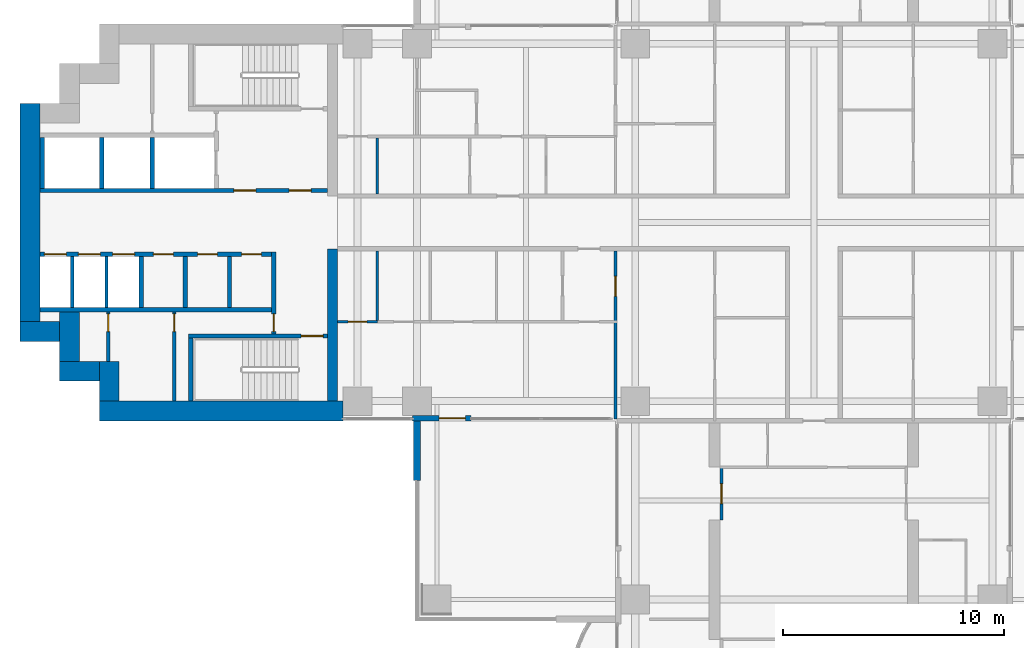
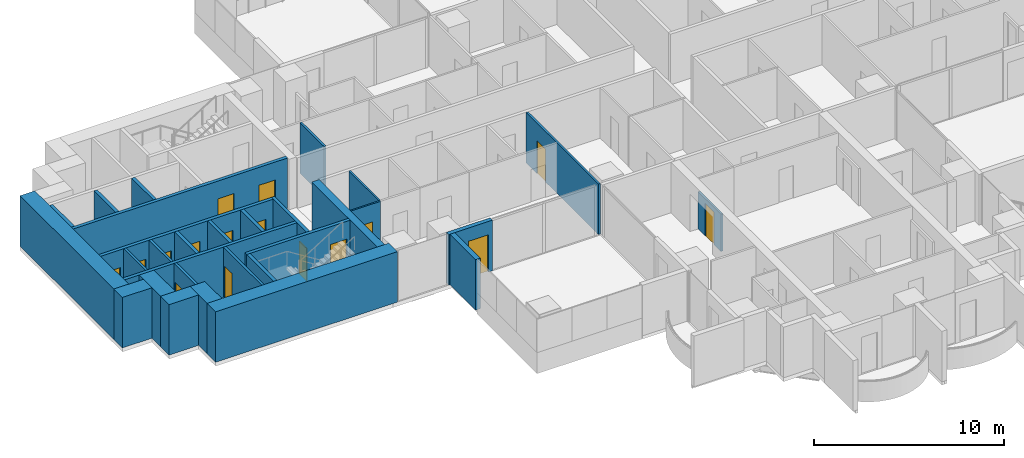
# One storey, part 10 of 21: 30 walls, 16 doors, 16 openings.
"""IFC4 building model written with IfcOpenShell, lengths in metres."""

import ifcopenshell
import ifcopenshell.guid

model = None  # the IFC model being written
_history = None  # IfcOwnerHistory: only IFC2X3 demands one
_inside = {}  # id of a spatial element -> (the spatial element, [elements in it])
_under = {}  # id of a project, library or spatial element -> (it, [spatial elements below it])
_declared = {}  # id of a project -> (the project, [libraries it declares])
_typed = {}  # id of a type object -> (the type object, [elements of that type])
_made_of = {}  # id of a material, layer set ... -> (it, [elements and type objects made of it])


def new_model(schema):
    """Start an empty IFC model of exactly this schema.

    Asked for "IFC4X3", IfcOpenShell would pick the latest addendum, in which some entities
    have other attributes; the version numbers below select the first issue.
    IFC2X3 requires an IfcOwnerHistory on every rooted entity: one is made here for all.
    """
    global model, _history
    if schema == "IFC4X3":
        model = ifcopenshell.file(schema_version=(4, 3, 0, 0))
    else:
        model = ifcopenshell.file(schema=schema)
    _inside.clear()
    _under.clear()
    _declared.clear()
    _typed.clear()
    _made_of.clear()
    _history = None
    if model.schema == "IFC2X3":
        org = make("IfcOrganization", Name="unknown")
        user = make(
            "IfcPersonAndOrganization",
            ThePerson=make("IfcPerson", FamilyName="unknown"),
            TheOrganization=org,
        )
        app = make(
            "IfcApplication",
            ApplicationDeveloper=org,
            Version="unknown",
            ApplicationFullName="unknown",
            ApplicationIdentifier="unknown",
        )
        _history = make(
            "IfcOwnerHistory",
            OwningUser=user,
            OwningApplication=app,
            ChangeAction="ADDED",
            CreationDate=0,
        )
    return model


def make(cls, **values):
    """One entity of the class cls with the attributes given. An attribute that is None is left unset."""
    return model.create_entity(
        cls, **{name: value for name, value in values.items() if value is not None}
    )


def rooted(cls, **values):
    """An entity with a GlobalId (a new one), such as an element, a storey or a relation."""
    return make(cls, GlobalId=ifcopenshell.guid.new(), OwnerHistory=_history, **values)


def si_unit(unit_type, name, prefix=None):
    """IfcSIUnit, for example si_unit("LENGTHUNIT", "METRE", prefix="MILLI")."""
    return make("IfcSIUnit", UnitType=unit_type, Prefix=prefix, Name=name)


def assignment(units):
    """IfcUnitAssignment: the units of a project."""
    return None if units is None else make("IfcUnitAssignment", Units=units)


def point(xyz):
    """IfcCartesianPoint."""
    return None if xyz is None else make("IfcCartesianPoint", Coordinates=xyz)


def direction(xyz):
    """IfcDirection."""
    return None if xyz is None else make("IfcDirection", DirectionRatios=xyz)


def frame(location, z_axis=None, x_axis=None):
    """IfcAxis2Placement3D, a coordinate frame: its origin and axes. An axis left out is left unset."""
    return make(
        "IfcAxis2Placement3D",
        Location=point(location),
        Axis=direction(z_axis),
        RefDirection=direction(x_axis),
    )


def frame_2d(location, x_axis=None):
    """IfcAxis2Placement2D, a coordinate frame in the plane: its origin and x axis."""
    return make(
        "IfcAxis2Placement2D", Location=point(location), RefDirection=direction(x_axis)
    )


def origin():
    """The frame at (0, 0, 0) with its axes left unset."""
    return frame((0.0, 0.0, 0.0))


def place(relative_to, where):
    """IfcLocalPlacement: puts the frame where relative to a parent placement (None: the world)."""
    return make(
        "IfcLocalPlacement", PlacementRelTo=relative_to, RelativePlacement=where
    )


def context(
    kind, dimensions, precision=None, world=None, true_north=None, identifier=None
):
    """IfcGeometricRepresentationContext, for example the 3D "Model" context."""
    return make(
        "IfcGeometricRepresentationContext",
        ContextIdentifier=identifier,
        ContextType=kind,
        CoordinateSpaceDimension=dimensions,
        Precision=precision,
        WorldCoordinateSystem=world,
        TrueNorth=true_north,
    )


def subcontext(parent, identifier, kind, view, scale=None):
    """IfcGeometricRepresentationSubContext, for example "Body" below "Model"."""
    return make(
        "IfcGeometricRepresentationSubContext",
        ContextIdentifier=identifier,
        ContextType=kind,
        ParentContext=parent,
        TargetScale=scale,
        TargetView=view,
    )


def project(units=None, contexts=None):
    """IfcProject with its units and contexts."""
    return rooted(
        "IfcProject",
        Name="project",
        RepresentationContexts=contexts,
        UnitsInContext=assignment(units),
    )


def spatial(cls, under=None, at=None, **own):
    """A site, building, storey or space (cls), placed at a placement, below another one or the project."""
    s = rooted(cls, ObjectPlacement=at, **own)
    if under is not None:
        _under.setdefault(under.id(), (under, []))[1].append(s)
    return s


def profile(cls, at=None, kind="AREA", **sizes):
    """A parametric profile (cls). Its sizes go by their IFC names, for example OverallWidth=200.0."""
    return make(cls, ProfileType=kind, Position=at, **sizes)


def rectangle(**sizes):
    """IfcRectangleProfileDef."""
    return profile("IfcRectangleProfileDef", **sizes)


def extrude(swept, where, along, depth):
    """IfcExtrudedAreaSolid: the profile swept, set in the frame where, extruded along a direction by depth."""
    return make(
        "IfcExtrudedAreaSolid",
        SweptArea=swept,
        Position=where,
        ExtrudedDirection=direction(along),
        Depth=depth,
    )


def shape(context_of_items, identifier, shape_type, items):
    """IfcShapeRepresentation: the items that make up one representation, for example the "Body"."""
    return make(
        "IfcShapeRepresentation",
        ContextOfItems=context_of_items,
        RepresentationIdentifier=identifier,
        RepresentationType=shape_type,
        Items=items,
    )


def material(Name=None, Category=None):
    """IfcMaterial."""
    return make("IfcMaterial", Name=Name, Category=Category)


def layer(
    of_material, thickness, ventilated=None, Name=None, Category=None, Priority=None
):
    """IfcMaterialLayer: one layer of a wall or slab, of a material (None: an air gap)."""
    return make(
        "IfcMaterialLayer",
        Material=of_material,
        LayerThickness=thickness,
        IsVentilated=ventilated,
        Name=Name,
        Category=Category,
        Priority=Priority,
    )


def layer_set(layers, Name=None):
    """IfcMaterialLayerSet."""
    return make("IfcMaterialLayerSet", MaterialLayers=layers, LayerSetName=Name)


def made_of(thing, what):
    """Note that an element or type object is made of a material, layer set ...; save() writes the relation."""
    if what is not None:
        _made_of.setdefault(what.id(), (what, []))[1].append(thing)
    return thing


def type_object(cls, material=None, **own):
    """A type object (cls), such as IfcWallType, which elements share."""
    return made_of(rooted(cls, **own), material)


def element(
    cls,
    number,
    at=None,
    inside=None,
    cuts=None,
    type_object=None,
    material=None,
    context=None,
    identifier="Body",
    shape_type=None,
    held_by="IfcProductDefinitionShape",
    body=None,
    shapes=None,
    **own,
):
    """One element of the class cls, such as IfcWall. Its Tag is "e" and its number.

    at: its placement. inside: the storey or other place that contains it. cuts: it is an
    opening in that element (IfcRelVoidsElement). A single representation is given by context,
    identifier, shape_type and body (its items); several are given by shapes. held_by: the class
    of the entity that holds the representations. save() writes the other relations.
    """
    e = rooted(cls, Tag="e%d" % number, ObjectPlacement=at, **own)
    if body is not None:
        shapes = [shape(context, identifier, shape_type, body)]
    if shapes is not None:
        e.Representation = make(held_by, Representations=shapes)
    if inside is not None:
        _inside.setdefault(inside.id(), (inside, []))[1].append(e)
    if cuts is not None:
        rooted(
            "IfcRelVoidsElement", RelatingBuildingElement=cuts, RelatedOpeningElement=e
        )
    if type_object is not None:
        _typed.setdefault(type_object.id(), (type_object, []))[1].append(e)
    return made_of(e, material)


def fill(opening, filler):
    """IfcRelFillsElement: the door or window that sits in an opening."""
    return rooted(
        "IfcRelFillsElement",
        RelatingOpeningElement=opening,
        RelatedBuildingElement=filler,
    )


def aggregate(whole, parts):
    """IfcRelAggregates: a whole, such as a stair, and the parts it consists of."""
    return rooted("IfcRelAggregates", RelatingObject=whole, RelatedObjects=parts)


def save(model, path):
    """Write the relations noted so far, then the file.

    IfcRelAggregates (storeys below a building ...), IfcRelContainedInSpatialStructure (elements
    in a storey), IfcRelDefinesByType, IfcRelAssociatesMaterial and IfcRelDeclares: one each for
    every whole, place, type object, material and project.
    """
    for whole, parts in _under.values():
        aggregate(whole, parts)
    for where, things in _inside.values():
        rooted(
            "IfcRelContainedInSpatialStructure",
            RelatedElements=things,
            RelatingStructure=where,
        )
    for kind, things in _typed.values():
        rooted("IfcRelDefinesByType", RelatedObjects=things, RelatingType=kind)
    for what, things in _made_of.values():
        rooted("IfcRelAssociatesMaterial", RelatedObjects=things, RelatingMaterial=what)
    for by, libraries in _declared.values():
        rooted("IfcRelDeclares", RelatingContext=by, RelatedDefinitions=libraries)
    model.write(path)


model = new_model("IFC4")

# Units and contexts
model_context = context("Model", 3, precision=1e-05, world=origin(), true_north=direction((0.0, 1.0)))
body_context = subcontext(model_context, "Body", "Model", "MODEL_VIEW")
ifc_project = project(units=[si_unit("LENGTHUNIT", "METRE"), si_unit("AREAUNIT", "SQUARE_METRE"), si_unit("VOLUMEUNIT", "CUBIC_METRE"), si_unit("PLANEANGLEUNIT", "RADIAN"), si_unit("MASSUNIT", "GRAM", prefix="KILO")], contexts=[model_context])

# Site, building, storey
site_placement = place(None, origin())
site = spatial("IfcSite", under=ifc_project, at=site_placement, CompositionType="ELEMENT")
building_placement = place(site_placement, origin())
building = spatial("IfcBuilding", under=site, at=building_placement, Name="Perihelion Cross Residences", CompositionType="ELEMENT")
storey_placement = place(building_placement, frame((0.0, 0.0, 43.5)))
storey = spatial("IfcBuildingStorey", under=building, at=storey_placement, Name="L07", CompositionType="ELEMENT", Elevation=43.5)

# Wall, opening, door
ifc_material_1 = material(Name="Concrete C30/37, bronze-clad", Category="concrete")
ifc_layer_1 = layer(ifc_material_1, 0.25)
ifc_layer_set_1 = layer_set([ifc_layer_1], Name="Bronze-clad pier wall 250")
wall_type_1 = type_object("IfcWallType", Name="Bronze-clad pier wall 250", PredefinedType="SOLIDWALL", material=ifc_layer_set_1)
wall_1_placement = place(storey_placement, frame((-18.199951171875, -8.875, 0.0), z_axis=(0.0, 0.0, 1.0), x_axis=(1.0, 0.0, 0.0)))
wall_1 = element("IfcWall", 1, at=wall_1_placement, inside=storey, type_object=wall_type_1, Name="Wall FW1 L07 west side south bay 2 pier", PredefinedType="SOLIDWALL", context=body_context, shape_type="SweptSolid", body=[
    extrude(rectangle(XDim=2.64990234375, YDim=0.25, at=frame_2d((1.324951171875, 0.0))), origin(), (0.0, 0.0, 1.0), 3.25),
])
opening_1_placement = place(wall_1_placement, frame((1.199951171875, 0.0, 0.0)))
opening_1 = element("IfcOpeningElement", 2, at=opening_1_placement, cuts=wall_1, Name="Opening L07.E09", PredefinedType="OPENING", context=body_context, shape_type="SweptSolid", body=[
    extrude(rectangle(XDim=1.199951171875, YDim=2.39990234375, at=frame_2d((0.60009765625, 1.199951171875))), frame((0.0, 0.135009765625, 0.0), z_axis=(0.0, -1.0, 0.0), x_axis=(1.0, 0.0, 0.0)), (0.0, 0.0, 1.0), 0.27001953125),
])
ifc_material_2 = material(Name="Bronze anodised aluminium, glazed", Category="aluminium")
door_type_1 = type_object("IfcDoorType", Name="Balcony door 1200 x 2400", OperationType="NOTDEFINED", PredefinedType="DOOR", material=ifc_material_2)
door_1_placement = place(opening_1_placement, origin())
door_1 = element("IfcDoor", 3, at=door_1_placement, inside=storey, type_object=door_type_1, Name="Door L07.E09 west side south bay 2", OperationType="SINGLE_SWING_RIGHT", OverallHeight=2.39990234375, OverallWidth=1.199951171875, PredefinedType="DOOR", context=body_context, shape_type="SweptSolid", body=[
    extrude(rectangle(XDim=1.199951171875, YDim=2.39990234375, at=frame_2d((0.60009765625, 1.199951171875))), frame((0.0, 0.02490234375, 0.0), z_axis=(0.0, -1.0, 0.0), x_axis=(1.0, 0.0, 0.0)), (0.0, 0.0, 1.0), 0.050048828125),
])
fill(opening_1, door_1)

# Walls
ifc_material_3 = material(Name="Concrete C60/75", Category="concrete")
ifc_layer_2 = layer(ifc_material_3, 0.449951171875)
ifc_layer_set_2 = layer_set([ifc_layer_2], Name="Core wall, inner 450")
wall_type_2 = type_object("IfcWallType", Name="Core wall, inner 450", PredefinedType="SHEAR", material=ifc_layer_set_2)
wall_2_placement = place(storey_placement, frame((-21.824951171875, -8.10009765625, 0.0), z_axis=(0.0, 0.0, 1.0), x_axis=(0.0, 1.0, 0.0)))
element("IfcWall", 4, at=wall_2_placement, inside=storey, type_object=wall_type_2, Name="West core core wall, inner", PredefinedType="SHEAR", context=body_context, shape_type="SweptSolid", body=[
    extrude(rectangle(XDim=6.900146484375, YDim=0.449951171875, at=frame_2d((3.4501953125, 0.0))), origin(), (0.0, 0.0, 1.0), 3.25),
])
ifc_material_4 = material(Name="Concrete C60/75", Category="concrete")
ifc_layer_3 = layer(ifc_material_4, 0.89990234375)
ifc_layer_set_3 = layer_set([ifc_layer_3], Name="Core wall, outer 900")
wall_type_3 = type_object("IfcWallType", Name="Core wall, outer 900", PredefinedType="SHEAR", material=ifc_layer_set_3)
wall_3_placement = place(storey_placement, frame((-32.39990234375, -8.550048828125, 0.0), z_axis=(0.0, 0.0, 1.0), x_axis=(1.0, 0.0, 0.0)))
element("IfcWall", 5, at=wall_3_placement, inside=storey, type_object=wall_type_3, Name="West core core wall, outer", PredefinedType="SHEAR", context=body_context, shape_type="SweptSolid", body=[
    extrude(rectangle(XDim=11.0498046875, YDim=0.89990234375, at=frame_2d((5.52490234375, 0.0))), origin(), (0.0, 0.0, 1.0), 3.25),
])
for number, where, z_axis, x_axis, name in (
    (6, (-31.949951171875, -8.10009765625, 0.0), (0.0, 0.0, 1.0), (0.0, 1.0, 0.0), "West core core wall, outer"),
    (7, (-34.199951171875, -6.75, 0.0), (0.0, 0.0, 1.0), (1.0, 0.0, 0.0), "West core core wall, outer"),
):
    element("IfcWall", number, at=place(storey_placement, frame(where, z_axis=z_axis, x_axis=x_axis)), inside=storey, type_object=wall_type_3, Name=name, PredefinedType="SHEAR", context=body_context, shape_type="SweptSolid", body=[
        extrude(rectangle(XDim=1.800048828125, YDim=0.89990234375, at=frame_2d((0.89990234375, 0.0))), origin(), (0.0, 0.0, 1.0), 3.25),
    ])
wall_4_placement = place(storey_placement, frame((-33.75, -6.300048828125, 0.0), z_axis=(0.0, 0.0, 1.0), x_axis=(0.0, 1.0, 0.0)))
element("IfcWall", 8, at=wall_4_placement, inside=storey, type_object=wall_type_3, Name="West core core wall, outer", PredefinedType="SHEAR", context=body_context, shape_type="SweptSolid", body=[
    extrude(rectangle(XDim=2.25, YDim=0.89990234375, at=frame_2d((1.125, 0.0))), origin(), (0.0, 0.0, 1.0), 3.25),
])
wall_5_placement = place(storey_placement, frame((-36.0, -4.949951171875, 0.0), z_axis=(0.0, 0.0, 1.0), x_axis=(1.0, 0.0, 0.0)))
element("IfcWall", 9, at=wall_5_placement, inside=storey, type_object=wall_type_3, Name="West core core wall, outer", PredefinedType="SHEAR", context=body_context, shape_type="SweptSolid", body=[
    extrude(rectangle(XDim=1.800048828125, YDim=0.89990234375, at=frame_2d((0.89990234375, 0.0))), origin(), (0.0, 0.0, 1.0), 3.25),
])
wall_6_placement = place(storey_placement, frame((-35.550048828125, -4.5, 0.0), z_axis=(0.0, 0.0, 1.0), x_axis=(0.0, 1.0, 0.0)))
element("IfcWall", 10, at=wall_6_placement, inside=storey, type_object=wall_type_3, Name="West core core wall, outer", PredefinedType="SHEAR", context=body_context, shape_type="SweptSolid", body=[
    extrude(rectangle(XDim=9.89990234375, YDim=0.89990234375, at=frame_2d((4.949951171875, 0.0))), origin(), (0.0, 0.0, 1.0), 3.25),
])

# Wall, opening, door
ifc_material_5 = material(Name="Plasterboard partition")
ifc_layer_4 = layer(ifc_material_5, 0.1201171875)
ifc_layer_set_4 = layer_set([ifc_layer_4], Name="Infill panel 120")
wall_type_4 = type_object("IfcWallType", Name="Infill panel 120", PredefinedType="PARTITIONING", material=ifc_layer_set_4)
wall_7_placement = place(storey_placement, frame((-4.18994140625, -11.10009765625, 0.0), z_axis=(0.0, 0.0, 1.0), x_axis=(0.0, -1.0, 0.0)))
wall_7 = element("IfcWall", 11, at=wall_7_placement, inside=storey, type_object=wall_type_4, Name="Partition L07 WI07", PredefinedType="PARTITIONING", context=body_context, shape_type="SweptSolid", body=[
    extrude(rectangle(XDim=2.39990234375, YDim=0.1201171875, at=frame_2d((1.199951171875, 0.0))), origin(), (0.0, 0.0, 1.0), 2.39990234375),
])
opening_2_placement = place(wall_7_placement, frame((0.75, 0.0, 0.0)))
opening_2 = element("IfcOpeningElement", 12, at=opening_2_placement, cuts=wall_7, Name="Opening L07.A60", PredefinedType="OPENING", context=body_context, shape_type="SweptSolid", body=[
    extrude(rectangle(XDim=0.89990234375, YDim=2.10009765625, at=frame_2d((0.449951171875, 1.050048828125))), frame((0.0, 0.070068359375, 0.0), z_axis=(0.0, -1.0, 0.0), x_axis=(1.0, 0.0, 0.0)), (0.0, 0.0, 1.0), 0.14013671875),
])
ifc_material_6 = material(Name="Timber door leaf", Category="wood")
door_type_2 = type_object("IfcDoorType", Name="Interior room door 900 x 2100", OperationType="SINGLE_SWING_LEFT", PredefinedType="DOOR", material=ifc_material_6)
door_2_placement = place(opening_2_placement, origin())
door_2 = element("IfcDoor", 13, at=door_2_placement, inside=storey, type_object=door_type_2, Name="Door L07.A60", OperationType="SINGLE_SWING_RIGHT", OverallHeight=2.10009765625, OverallWidth=0.89990234375, PredefinedType="DOOR", context=body_context, shape_type="SweptSolid", body=[
    extrude(rectangle(XDim=0.89990234375, YDim=2.10009765625, at=frame_2d((0.449951171875, 1.050048828125))), frame((0.0, 0.02490234375, 0.0), z_axis=(0.0, -1.0, 0.0), x_axis=(1.0, 0.0, 0.0)), (0.0, 0.0, 1.0), 0.050048828125),
])
fill(opening_2, door_2)

ifc_material_7 = material(Name="Concrete C50/60", Category="concrete")
ifc_layer_5 = layer(ifc_material_7, 0.199951171875)
ifc_layer_set_5 = layer_set([ifc_layer_5], Name="Lobby wall 200")
wall_type_5 = type_object("IfcWallType", Name="Lobby wall 200", PredefinedType="SOLIDWALL", material=ifc_layer_set_5)
wall_8_placement = place(storey_placement, frame((-24.5, -5.050048828125, 0.0), z_axis=(0.0, 0.0, 1.0), x_axis=(0.0, 1.0, 0.0)))
wall_8 = element("IfcWall", 14, at=wall_8_placement, inside=storey, type_object=wall_type_5, Name="West core lobby wall", PredefinedType="SOLIDWALL", context=body_context, shape_type="SweptSolid", body=[
    extrude(rectangle(XDim=3.699951171875, YDim=0.199951171875, at=frame_2d((1.85009765625, 0.0))), origin(), (0.0, 0.0, 1.0), 3.25),
])
opening_3_placement = place(wall_8_placement, frame((0.10009765625, 0.0, 0.0)))
opening_3 = element("IfcOpeningElement", 15, at=opening_3_placement, cuts=wall_8, Name="Opening L07.C24", PredefinedType="OPENING", context=body_context, shape_type="SweptSolid", body=[
    extrude(rectangle(XDim=0.800048828125, YDim=2.10009765625, at=frame_2d((0.39990234375, 1.050048828125))), frame((0.0, 0.10986328125, 0.0), z_axis=(0.0, -1.0, 0.0), x_axis=(1.0, 0.0, 0.0)), (0.0, 0.0, 1.0), 0.219970703125),
])
ifc_material_8 = material(Name="Steel, powder coated", Category="steel")
door_type_3 = type_object("IfcDoorType", Name="Riser door 800", OperationType="SINGLE_SWING_LEFT", PredefinedType="DOOR", material=ifc_material_8)
door_3_placement = place(opening_3_placement, origin())
door_3 = element("IfcDoor", 16, at=door_3_placement, inside=storey, type_object=door_type_3, Name="West core riser door", OperationType="SINGLE_SWING_LEFT", OverallHeight=2.10009765625, OverallWidth=0.800048828125, PredefinedType="DOOR", context=body_context, shape_type="SweptSolid", body=[
    extrude(rectangle(XDim=0.800048828125, YDim=2.10009765625, at=frame_2d((0.39990234375, 1.050048828125))), frame((0.0, 0.02490234375, 0.0), z_axis=(0.0, -1.0, 0.0), x_axis=(1.0, 0.0, 0.0)), (0.0, 0.0, 1.0), 0.050048828125),
])
fill(opening_3, door_3)

# Wall
ifc_material_9 = material(Name="Plasterboard partition")
ifc_layer_6 = layer(ifc_material_9, 0.1201171875)
ifc_layer_set_6 = layer_set([ifc_layer_6], Name="Partition wall 120")
wall_type_6 = type_object("IfcWallType", Name="Partition wall 120", PredefinedType="PARTITIONING", material=ifc_layer_set_6)
wall_9_placement = place(storey_placement, frame((-19.800048828125, 1.300048828125, 0.0), z_axis=(0.0, 0.0, 1.0), x_axis=(0.0, 1.0, 0.0)))
element("IfcWall", 17, at=wall_9_placement, inside=storey, type_object=wall_type_6, Name="Partition L07 W038", PredefinedType="PARTITIONING", context=body_context, shape_type="SweptSolid", body=[
    extrude(rectangle(XDim=2.5400390625, YDim=0.1201171875, at=frame_2d((1.27001953125, 0.0))), origin(), (0.0, 0.0, 1.0), 3.25),
])

# Wall, opening, door
wall_10_placement = place(storey_placement, frame((-9.0, -1.300048828125, 0.0), z_axis=(0.0, 0.0, 1.0), x_axis=(0.0, -1.0, 0.0)))
wall_10 = element("IfcWall", 18, at=wall_10_placement, inside=storey, type_object=wall_type_6, Name="Partition L07 W047", PredefinedType="PARTITIONING", context=body_context, shape_type="SweptSolid", body=[
    extrude(rectangle(XDim=7.619873046875, YDim=0.1201171875, at=frame_2d((3.81005859375, 0.0))), origin(), (0.0, 0.0, 1.0), 3.25),
])
opening_4_placement = place(wall_10_placement, frame((1.14990234375, 0.0, 0.0)))
opening_4 = element("IfcOpeningElement", 19, at=opening_4_placement, cuts=wall_10, Name="Opening L07.A28", PredefinedType="OPENING", context=body_context, shape_type="SweptSolid", body=[
    extrude(rectangle(XDim=0.89990234375, YDim=2.10009765625, at=frame_2d((0.449951171875, 1.050048828125))), frame((0.0, 0.070068359375, 0.0), z_axis=(0.0, -1.0, 0.0), x_axis=(1.0, 0.0, 0.0)), (0.0, 0.0, 1.0), 0.14013671875),
])
door_4_placement = place(opening_4_placement, origin())
door_4 = element("IfcDoor", 20, at=door_4_placement, inside=storey, type_object=door_type_2, Name="Door L07.A28", OperationType="SINGLE_SWING_RIGHT", OverallHeight=2.10009765625, OverallWidth=0.89990234375, PredefinedType="DOOR", context=body_context, shape_type="SweptSolid", body=[
    extrude(rectangle(XDim=0.89990234375, YDim=2.10009765625, at=frame_2d((0.449951171875, 1.050048828125))), frame((0.0, 0.02490234375, 0.0), z_axis=(0.0, -1.0, 0.0), x_axis=(1.0, 0.0, 0.0)), (0.0, 0.0, 1.0), 0.050048828125),
])
fill(opening_4, door_4)

# Wall
ifc_material_10 = material(Name="Precast concrete C50/60", Category="concrete")
ifc_layer_7 = layer(ifc_material_10, 0.300048828125)
ifc_layer_set_7 = layer_set([ifc_layer_7], Name="Precast concrete C50/60 blade wall 300")
wall_type_7 = type_object("IfcWallType", Name="Precast concrete C50/60 blade wall 300", PredefinedType="SOLIDWALL", material=ifc_layer_set_7)
wall_11_placement = place(storey_placement, frame((-18.0, -8.75, 0.0), z_axis=(0.0, 0.0, 1.0), x_axis=(0.0, -1.0, 0.0)))
element("IfcWall", 21, at=wall_11_placement, inside=storey, type_object=wall_type_7, Name="Wall BL1 L07 no. 1", PredefinedType="SOLIDWALL", context=body_context, shape_type="SweptSolid", body=[
    extrude(rectangle(XDim=2.949951171875, YDim=0.300048828125, at=frame_2d((1.47509765625, 0.0))), origin(), (0.0, 0.0, 1.0), 3.25),
])

# Wall, opening, door
ifc_material_11 = material(Name="Fire-rated board on steel stud", Category="steel")
ifc_layer_8 = layer(ifc_material_11, 0.14990234375)
ifc_layer_set_8 = layer_set([ifc_layer_8], Name="Riser wall 150")
wall_type_8 = type_object("IfcWallType", Name="Riser wall 150", PredefinedType="PARTITIONING", material=ifc_layer_set_8)
wall_12_placement = place(storey_placement, frame((-29.0, -8.10009765625, 0.0), z_axis=(0.0, 0.0, 1.0), x_axis=(0.0, 1.0, 0.0)))
wall_12 = element("IfcWall", 22, at=wall_12_placement, inside=storey, type_object=wall_type_8, Name="West core riser wall", PredefinedType="PARTITIONING", context=body_context, shape_type="SweptSolid", body=[
    extrude(rectangle(XDim=4.050048828125, YDim=0.14990234375, at=frame_2d((2.02490234375, 0.0))), origin(), (0.0, 0.0, 1.0), 3.25),
])
opening_5_placement = place(wall_12_placement, frame((3.14990234375, 0.0, 0.0)))
opening_5 = element("IfcOpeningElement", 23, at=opening_5_placement, cuts=wall_12, Name="Opening L07.C29", PredefinedType="OPENING", context=body_context, shape_type="SweptSolid", body=[
    extrude(rectangle(XDim=0.800048828125, YDim=2.10009765625, at=frame_2d((0.39990234375, 1.050048828125))), frame((0.0, 0.0849609375, 0.0), z_axis=(0.0, -1.0, 0.0), x_axis=(1.0, 0.0, 0.0)), (0.0, 0.0, 1.0), 0.169921875),
])
door_5_placement = place(opening_5_placement, origin())
door_5 = element("IfcDoor", 24, at=door_5_placement, inside=storey, type_object=door_type_3, Name="West core riser door", OperationType="SINGLE_SWING_LEFT", OverallHeight=2.10009765625, OverallWidth=0.800048828125, PredefinedType="DOOR", context=body_context, shape_type="SweptSolid", body=[
    extrude(rectangle(XDim=0.800048828125, YDim=2.10009765625, at=frame_2d((0.39990234375, 1.050048828125))), frame((0.0, 0.02490234375, 0.0), z_axis=(0.0, -1.0, 0.0), x_axis=(1.0, 0.0, 0.0)), (0.0, 0.0, 1.0), 0.050048828125),
])
fill(opening_5, door_5)

wall_13_placement = place(storey_placement, frame((-32.0, -6.300048828125, 0.0), z_axis=(0.0, 0.0, 1.0), x_axis=(0.0, 1.0, 0.0)))
wall_13 = element("IfcWall", 25, at=wall_13_placement, inside=storey, type_object=wall_type_8, Name="West core riser wall", PredefinedType="PARTITIONING", context=body_context, shape_type="SweptSolid", body=[
    extrude(rectangle(XDim=2.25, YDim=0.14990234375, at=frame_2d((1.125, 0.0))), origin(), (0.0, 0.0, 1.0), 3.25),
])
opening_6_placement = place(wall_13_placement, frame((1.35009765625, 0.0, 0.0)))
opening_6 = element("IfcOpeningElement", 26, at=opening_6_placement, cuts=wall_13, Name="Opening L07.C32", PredefinedType="OPENING", context=body_context, shape_type="SweptSolid", body=[
    extrude(rectangle(XDim=0.800048828125, YDim=2.10009765625, at=frame_2d((0.39990234375, 1.050048828125))), frame((0.0, 0.0849609375, 0.0), z_axis=(0.0, -1.0, 0.0), x_axis=(1.0, 0.0, 0.0)), (0.0, 0.0, 1.0), 0.169921875),
])
door_6_placement = place(opening_6_placement, origin())
door_6 = element("IfcDoor", 27, at=door_6_placement, inside=storey, type_object=door_type_3, Name="West core riser door", OperationType="SINGLE_SWING_LEFT", OverallHeight=2.10009765625, OverallWidth=0.800048828125, PredefinedType="DOOR", context=body_context, shape_type="SweptSolid", body=[
    extrude(rectangle(XDim=0.800048828125, YDim=2.10009765625, at=frame_2d((0.39990234375, 1.050048828125))), frame((0.0, 0.02490234375, 0.0), z_axis=(0.0, -1.0, 0.0), x_axis=(1.0, 0.0, 0.0)), (0.0, 0.0, 1.0), 0.050048828125),
])
fill(opening_6, door_6)

# Walls
ifc_material_12 = material(Name="Fire-rated board on steel stud", Category="steel")
ifc_layer_9 = layer(ifc_material_12, 0.199951171875)
ifc_layer_set_9 = layer_set([ifc_layer_9], Name="Riser wall 200")
wall_type_9 = type_object("IfcWallType", Name="Riser wall 200", PredefinedType="PARTITIONING", material=ifc_layer_set_9)
for number, where, z_axis, x_axis, name in (
    (28, (-26.5, -3.85009765625, 0.0), (0.0, 0.0, 1.0), (0.0, 1.0, 0.0), "West core riser wall"),
    (29, (-28.5, -3.85009765625, 0.0), (0.0, 0.0, 1.0), (0.0, 1.0, 0.0), "West core riser wall"),
):
    element("IfcWall", number, at=place(storey_placement, frame(where, z_axis=z_axis, x_axis=x_axis)), inside=storey, type_object=wall_type_9, Name=name, PredefinedType="PARTITIONING", context=body_context, shape_type="SweptSolid", body=[
        extrude(rectangle(XDim=2.300048828125, YDim=0.199951171875, at=frame_2d((1.14990234375, 0.0))), origin(), (0.0, 0.0, 1.0), 3.25),
    ])
ifc_material_13 = material(Name="Concrete C50/60", Category="concrete")
ifc_layer_10 = layer(ifc_material_13, 0.14990234375)
ifc_layer_set_10 = layer_set([ifc_layer_10], Name="Shaft wall 150")
wall_type_10 = type_object("IfcWallType", Name="Shaft wall 150", PredefinedType="SOLIDWALL", material=ifc_layer_set_10)
for number, where, z_axis, x_axis, name in (
    (30, (-32.074951171875, -3.85009765625, 0.0), (0.0, 0.0, 1.0), (0.0, 1.0, 0.0), "West core shaft wall"),
    (31, (-33.625, -3.85009765625, 0.0), (0.0, 0.0, 1.0), (0.0, 1.0, 0.0), "West core shaft wall"),
):
    element("IfcWall", number, at=place(storey_placement, frame(where, z_axis=z_axis, x_axis=x_axis)), inside=storey, type_object=wall_type_10, Name=name, PredefinedType="SOLIDWALL", context=body_context, shape_type="SweptSolid", body=[
        extrude(rectangle(XDim=2.300048828125, YDim=0.14990234375, at=frame_2d((1.14990234375, 0.0))), origin(), (0.0, 0.0, 1.0), 3.25),
    ])

# Wall, openings, doors
ifc_material_14 = material(Name="Concrete C50/60", Category="concrete")
ifc_layer_11 = layer(ifc_material_14, 0.199951171875)
ifc_layer_set_11 = layer_set([ifc_layer_11], Name="Shaft wall 200")
wall_type_11 = type_object("IfcWallType", Name="Shaft wall 200", PredefinedType="SOLIDWALL", material=ifc_layer_set_11)
wall_14_placement = place(storey_placement, frame((-35.10009765625, 1.449951171875, 0.0), z_axis=(0.0, 0.0, 1.0), x_axis=(1.0, 0.0, 0.0)))
wall_14 = element("IfcWall", 32, at=wall_14_placement, inside=storey, type_object=wall_type_11, Name="West core shaft wall", PredefinedType="SOLIDWALL", context=body_context, shape_type="SweptSolid", body=[
    extrude(rectangle(XDim=13.050048828125, YDim=0.199951171875, at=frame_2d((6.52490234375, 0.0))), origin(), (0.0, 0.0, 1.0), 3.25),
])
opening_7_placement = place(wall_14_placement, frame((11.300048828125, 0.0, 0.0)))
opening_7 = element("IfcOpeningElement", 33, at=opening_7_placement, cuts=wall_14, Name="Opening L07.C23", PredefinedType="OPENING", context=body_context, shape_type="SweptSolid", body=[
    extrude(rectangle(XDim=1.0, YDim=2.10009765625, at=frame_2d((0.5, 1.050048828125))), frame((0.0, 0.10986328125, 0.0), z_axis=(0.0, -1.0, 0.0), x_axis=(1.0, 0.0, 0.0)), (0.0, 0.0, 1.0), 0.219970703125),
])
opening_8_placement = place(wall_14_placement, frame((8.800048828125, 0.0, 0.0)))
opening_8 = element("IfcOpeningElement", 34, at=opening_8_placement, cuts=wall_14, Name="Opening L07.C26", PredefinedType="OPENING", context=body_context, shape_type="SweptSolid", body=[
    extrude(rectangle(XDim=1.0, YDim=2.10009765625, at=frame_2d((0.5, 1.050048828125))), frame((0.0, 0.10986328125, 0.0), z_axis=(0.0, -1.0, 0.0), x_axis=(1.0, 0.0, 0.0)), (0.0, 0.0, 1.0), 0.219970703125),
])
ifc_material_15 = material(Name="Steel, powder coated", Category="steel")
door_type_4 = type_object("IfcDoorType", Name="Lobby door 1000", OperationType="SINGLE_SWING_LEFT", PredefinedType="DOOR", material=ifc_material_15)
door_7_placement = place(opening_7_placement, origin())
door_7 = element("IfcDoor", 35, at=door_7_placement, inside=storey, type_object=door_type_4, Name="West core firefighting lobby door", OperationType="SINGLE_SWING_LEFT", OverallHeight=2.10009765625, OverallWidth=1.0, PredefinedType="DOOR", context=body_context, shape_type="SweptSolid", body=[
    extrude(rectangle(XDim=1.0, YDim=2.10009765625, at=frame_2d((0.5, 1.050048828125))), frame((0.0, 0.02490234375, 0.0), z_axis=(0.0, -1.0, 0.0), x_axis=(1.0, 0.0, 0.0)), (0.0, 0.0, 1.0), 0.050048828125),
])
fill(opening_7, door_7)
door_8_placement = place(opening_8_placement, origin())
door_8 = element("IfcDoor", 36, at=door_8_placement, inside=storey, type_object=door_type_4, Name="West core firefighting lobby door", OperationType="SINGLE_SWING_LEFT", OverallHeight=2.10009765625, OverallWidth=1.0, PredefinedType="DOOR", context=body_context, shape_type="SweptSolid", body=[
    extrude(rectangle(XDim=1.0, YDim=2.10009765625, at=frame_2d((0.5, 1.050048828125))), frame((0.0, 0.02490234375, 0.0), z_axis=(0.0, -1.0, 0.0), x_axis=(1.0, 0.0, 0.0)), (0.0, 0.0, 1.0), 0.050048828125),
])
fill(opening_8, door_8)

wall_15_placement = place(storey_placement, frame((-35.10009765625, -1.449951171875, 0.0), z_axis=(0.0, 0.0, 1.0), x_axis=(1.0, 0.0, 0.0)))
wall_15 = element("IfcWall", 37, at=wall_15_placement, inside=storey, type_object=wall_type_11, Name="West core shaft wall", PredefinedType="SOLIDWALL", context=body_context, shape_type="SweptSolid", body=[
    extrude(rectangle(XDim=10.5, YDim=0.199951171875, at=frame_2d((5.25, 0.0))), origin(), (0.0, 0.0, 1.0), 3.25),
])
opening_9_placement = place(wall_15_placement, frame((3.300048828125, 0.0, 0.0)))
opening_9 = element("IfcOpeningElement", 38, at=opening_9_placement, cuts=wall_15, Name="Opening L07.C18", PredefinedType="OPENING", context=body_context, shape_type="SweptSolid", body=[
    extrude(rectangle(XDim=1.0, YDim=2.10009765625, at=frame_2d((0.5, 1.050048828125))), frame((0.0, 0.10986328125, 0.0), z_axis=(0.0, -1.0, 0.0), x_axis=(1.0, 0.0, 0.0)), (0.0, 0.0, 1.0), 0.219970703125),
])
opening_10_placement = place(wall_15_placement, frame((1.75, 0.0, 0.0)))
opening_10 = element("IfcOpeningElement", 39, at=opening_10_placement, cuts=wall_15, Name="Opening L07.C19", PredefinedType="OPENING", context=body_context, shape_type="SweptSolid", body=[
    extrude(rectangle(XDim=1.0, YDim=2.10009765625, at=frame_2d((0.5, 1.050048828125))), frame((0.0, 0.10986328125, 0.0), z_axis=(0.0, -1.0, 0.0), x_axis=(1.0, 0.0, 0.0)), (0.0, 0.0, 1.0), 0.219970703125),
])
opening_11_placement = place(wall_15_placement, frame((0.199951171875, 0.0, 0.0)))
opening_11 = element("IfcOpeningElement", 40, at=opening_11_placement, cuts=wall_15, Name="Opening L07.C20", PredefinedType="OPENING", context=body_context, shape_type="SweptSolid", body=[
    extrude(rectangle(XDim=1.0, YDim=2.10009765625, at=frame_2d((0.5, 1.050048828125))), frame((0.0, 0.10986328125, 0.0), z_axis=(0.0, -1.0, 0.0), x_axis=(1.0, 0.0, 0.0)), (0.0, 0.0, 1.0), 0.219970703125),
])
opening_12_placement = place(wall_15_placement, frame((9.14990234375, 0.0, 0.0)))
opening_12 = element("IfcOpeningElement", 41, at=opening_12_placement, cuts=wall_15, Name="Opening L07.C25", PredefinedType="OPENING", context=body_context, shape_type="SweptSolid", body=[
    extrude(rectangle(XDim=0.89990234375, YDim=2.10009765625, at=frame_2d((0.449951171875, 1.050048828125))), frame((0.0, 0.10986328125, 0.0), z_axis=(0.0, -1.0, 0.0), x_axis=(1.0, 0.0, 0.0)), (0.0, 0.0, 1.0), 0.219970703125),
])
opening_13_placement = place(wall_15_placement, frame((7.14990234375, 0.0, 0.0)))
opening_13 = element("IfcOpeningElement", 42, at=opening_13_placement, cuts=wall_15, Name="Opening L07.C28", PredefinedType="OPENING", context=body_context, shape_type="SweptSolid", body=[
    extrude(rectangle(XDim=0.89990234375, YDim=2.10009765625, at=frame_2d((0.449951171875, 1.050048828125))), frame((0.0, 0.10986328125, 0.0), z_axis=(0.0, -1.0, 0.0), x_axis=(1.0, 0.0, 0.0)), (0.0, 0.0, 1.0), 0.219970703125),
])
opening_14_placement = place(wall_15_placement, frame((5.14990234375, 0.0, 0.0)))
opening_14 = element("IfcOpeningElement", 43, at=opening_14_placement, cuts=wall_15, Name="Opening L07.C30", PredefinedType="OPENING", context=body_context, shape_type="SweptSolid", body=[
    extrude(rectangle(XDim=0.89990234375, YDim=2.10009765625, at=frame_2d((0.449951171875, 1.050048828125))), frame((0.0, 0.10986328125, 0.0), z_axis=(0.0, -1.0, 0.0), x_axis=(1.0, 0.0, 0.0)), (0.0, 0.0, 1.0), 0.219970703125),
])
ifc_material_16 = material(Name="Stainless steel", Category="steel")
door_type_5 = type_object("IfcDoorType", Name="Landing door 1000", OperationType="DOUBLE_DOOR_SLIDING", PredefinedType="DOOR", material=ifc_material_16)
door_9_placement = place(opening_9_placement, origin())
door_9 = element("IfcDoor", 44, at=door_9_placement, inside=storey, type_object=door_type_5, Name="Landing door, West core low-rise lift 1", OperationType="DOUBLE_DOOR_SLIDING", OverallHeight=2.10009765625, OverallWidth=1.0, PredefinedType="DOOR", context=body_context, shape_type="SweptSolid", body=[
    extrude(rectangle(XDim=1.0, YDim=2.10009765625, at=frame_2d((0.5, 1.050048828125))), frame((0.0, 0.02490234375, 0.0), z_axis=(0.0, -1.0, 0.0), x_axis=(1.0, 0.0, 0.0)), (0.0, 0.0, 1.0), 0.050048828125),
])
fill(opening_9, door_9)
door_10_placement = place(opening_10_placement, origin())
door_10 = element("IfcDoor", 45, at=door_10_placement, inside=storey, type_object=door_type_5, Name="Landing door, West core low-rise lift 2", OperationType="DOUBLE_DOOR_SLIDING", OverallHeight=2.10009765625, OverallWidth=1.0, PredefinedType="DOOR", context=body_context, shape_type="SweptSolid", body=[
    extrude(rectangle(XDim=1.0, YDim=2.10009765625, at=frame_2d((0.5, 1.050048828125))), frame((0.0, 0.02490234375, 0.0), z_axis=(0.0, -1.0, 0.0), x_axis=(1.0, 0.0, 0.0)), (0.0, 0.0, 1.0), 0.050048828125),
])
fill(opening_10, door_10)
door_11_placement = place(opening_11_placement, origin())
door_11 = element("IfcDoor", 46, at=door_11_placement, inside=storey, type_object=door_type_5, Name="Landing door, West core low-rise lift 3", OperationType="DOUBLE_DOOR_SLIDING", OverallHeight=2.10009765625, OverallWidth=1.0, PredefinedType="DOOR", context=body_context, shape_type="SweptSolid", body=[
    extrude(rectangle(XDim=1.0, YDim=2.10009765625, at=frame_2d((0.5, 1.050048828125))), frame((0.0, 0.02490234375, 0.0), z_axis=(0.0, -1.0, 0.0), x_axis=(1.0, 0.0, 0.0)), (0.0, 0.0, 1.0), 0.050048828125),
])
fill(opening_11, door_11)
ifc_material_17 = material(Name="Steel, powder coated", Category="steel")
door_type_6 = type_object("IfcDoorType", Name="Service room door 900", OperationType="SINGLE_SWING_LEFT", PredefinedType="DOOR", material=ifc_material_17)
door_12_placement = place(opening_12_placement, origin())
door_12 = element("IfcDoor", 47, at=door_12_placement, inside=storey, type_object=door_type_6, Name="West core service room door", OperationType="SINGLE_SWING_LEFT", OverallHeight=2.10009765625, OverallWidth=0.89990234375, PredefinedType="DOOR", context=body_context, shape_type="SweptSolid", body=[
    extrude(rectangle(XDim=0.89990234375, YDim=2.10009765625, at=frame_2d((0.449951171875, 1.050048828125))), frame((0.0, 0.02490234375, 0.0), z_axis=(0.0, -1.0, 0.0), x_axis=(1.0, 0.0, 0.0)), (0.0, 0.0, 1.0), 0.050048828125),
])
fill(opening_12, door_12)
door_13_placement = place(opening_13_placement, origin())
door_13 = element("IfcDoor", 48, at=door_13_placement, inside=storey, type_object=door_type_6, Name="West core service room door", OperationType="SINGLE_SWING_LEFT", OverallHeight=2.10009765625, OverallWidth=0.89990234375, PredefinedType="DOOR", context=body_context, shape_type="SweptSolid", body=[
    extrude(rectangle(XDim=0.89990234375, YDim=2.10009765625, at=frame_2d((0.449951171875, 1.050048828125))), frame((0.0, 0.02490234375, 0.0), z_axis=(0.0, -1.0, 0.0), x_axis=(1.0, 0.0, 0.0)), (0.0, 0.0, 1.0), 0.050048828125),
])
fill(opening_13, door_13)
door_14_placement = place(opening_14_placement, origin())
door_14 = element("IfcDoor", 49, at=door_14_placement, inside=storey, type_object=door_type_6, Name="West core service room door", OperationType="SINGLE_SWING_LEFT", OverallHeight=2.10009765625, OverallWidth=0.89990234375, PredefinedType="DOOR", context=body_context, shape_type="SweptSolid", body=[
    extrude(rectangle(XDim=0.89990234375, YDim=2.10009765625, at=frame_2d((0.449951171875, 1.050048828125))), frame((0.0, 0.02490234375, 0.0), z_axis=(0.0, -1.0, 0.0), x_axis=(1.0, 0.0, 0.0)), (0.0, 0.0, 1.0), 0.050048828125),
])
fill(opening_14, door_14)

# Walls
wall_16_placement = place(storey_placement, frame((-35.10009765625, -3.949951171875, 0.0), z_axis=(0.0, 0.0, 1.0), x_axis=(1.0, 0.0, 0.0)))
element("IfcWall", 50, at=wall_16_placement, inside=storey, type_object=wall_type_11, Name="West core shaft wall", PredefinedType="SOLIDWALL", context=body_context, shape_type="SweptSolid", body=[
    extrude(rectangle(XDim=10.5, YDim=0.199951171875, at=frame_2d((5.25, 0.0))), origin(), (0.0, 0.0, 1.0), 3.25),
])
for number, where, z_axis, x_axis, name in (
    (51, (-30.0, 1.550048828125, 0.0), (0.0, 0.0, 1.0), (0.0, 1.0, 0.0), "West core shaft wall"),
    (52, (-32.300048828125, 1.550048828125, 0.0), (0.0, 0.0, 1.0), (0.0, 1.0, 0.0), "West core shaft wall"),
    (53, (-35.0, 1.550048828125, 0.0), (0.0, 0.0, 1.0), (0.0, 1.0, 0.0), "West core shaft wall"),
    (54, (-30.5, -3.85009765625, 0.0), (0.0, 0.0, 1.0), (0.0, 1.0, 0.0), "West core shaft wall"),
):
    element("IfcWall", number, at=place(storey_placement, frame(where, z_axis=z_axis, x_axis=x_axis)), inside=storey, type_object=wall_type_11, Name=name, PredefinedType="SOLIDWALL", context=body_context, shape_type="SweptSolid", body=[
        extrude(rectangle(XDim=2.300048828125, YDim=0.199951171875, at=frame_2d((1.14990234375, 0.0))), origin(), (0.0, 0.0, 1.0), 3.25),
    ])

# Wall, opening, door
ifc_material_18 = material(Name="Concrete C50/60", Category="concrete")
ifc_layer_12 = layer(ifc_material_18, 0.199951171875)
ifc_layer_set_12 = layer_set([ifc_layer_12], Name="Stair wall 200")
wall_type_12 = type_object("IfcWallType", Name="Stair wall 200", PredefinedType="SOLIDWALL", material=ifc_layer_set_12)
wall_17_placement = place(storey_placement, frame((-28.35009765625, -5.14990234375, 0.0), z_axis=(0.0, 0.0, 1.0), x_axis=(1.0, 0.0, 0.0)))
wall_17 = element("IfcWall", 55, at=wall_17_placement, inside=storey, type_object=wall_type_12, Name="West core stair wall", PredefinedType="SOLIDWALL", context=body_context, shape_type="SweptSolid", body=[
    extrude(rectangle(XDim=6.300048828125, YDim=0.199951171875, at=frame_2d((3.14990234375, 0.0))), origin(), (0.0, 0.0, 1.0), 3.25),
])
opening_15_placement = place(wall_17_placement, frame((5.10009765625, 0.0, 0.0)))
opening_15 = element("IfcOpeningElement", 56, at=opening_15_placement, cuts=wall_17, Name="Opening L07.C21", PredefinedType="OPENING", context=body_context, shape_type="SweptSolid", body=[
    extrude(rectangle(XDim=1.0, YDim=2.10009765625, at=frame_2d((0.5, 1.050048828125))), frame((0.0, 0.10986328125, 0.0), z_axis=(0.0, -1.0, 0.0), x_axis=(1.0, 0.0, 0.0)), (0.0, 0.0, 1.0), 0.219970703125),
])
ifc_material_19 = material(Name="Steel, powder coated", Category="steel")
door_type_7 = type_object("IfcDoorType", Name="Stair door 1000", OperationType="SINGLE_SWING_LEFT", PredefinedType="DOOR", material=ifc_material_19)
door_15_placement = place(opening_15_placement, origin())
door_15 = element("IfcDoor", 57, at=door_15_placement, inside=storey, type_object=door_type_7, Name="West core stair door", OperationType="SINGLE_SWING_LEFT", OverallHeight=2.10009765625, OverallWidth=1.0, PredefinedType="DOOR", context=body_context, shape_type="SweptSolid", body=[
    extrude(rectangle(XDim=1.0, YDim=2.10009765625, at=frame_2d((0.5, 1.050048828125))), frame((0.0, 0.02490234375, 0.0), z_axis=(0.0, -1.0, 0.0), x_axis=(1.0, 0.0, 0.0)), (0.0, 0.0, 1.0), 0.050048828125),
])
fill(opening_15, door_15)

# Walls
wall_18_placement = place(storey_placement, frame((-28.25, -8.10009765625, 0.0), z_axis=(0.0, 0.0, 1.0), x_axis=(0.0, 1.0, 0.0)))
element("IfcWall", 58, at=wall_18_placement, inside=storey, type_object=wall_type_12, Name="West core stair wall", PredefinedType="SOLIDWALL", context=body_context, shape_type="SweptSolid", body=[
    extrude(rectangle(XDim=2.85009765625, YDim=0.199951171875, at=frame_2d((1.425048828125, 0.0))), origin(), (0.0, 0.0, 1.0), 3.25),
])
ifc_material_20 = material(Name="Plasterboard partition")
ifc_layer_13 = layer(ifc_material_20, 0.10009765625)
ifc_layer_set_13 = layer_set([ifc_layer_13], Name="Wet room wall 100")
wall_type_13 = type_object("IfcWallType", Name="Wet room wall 100", PredefinedType="PARTITIONING", material=ifc_layer_set_13)
wall_19_placement = place(storey_placement, frame((-19.800048828125, -4.43994140625, 0.0), z_axis=(0.0, 0.0, 1.0), x_axis=(0.0, 1.0, 0.0)))
element("IfcWall", 59, at=wall_19_placement, inside=storey, type_object=wall_type_13, Name="Partition L07 W051", PredefinedType="PARTITIONING", context=body_context, shape_type="SweptSolid", body=[
    extrude(rectangle(XDim=3.139892578125, YDim=0.10009765625, at=frame_2d((1.56982421875, 0.0))), origin(), (0.0, 0.0, 1.0), 3.25),
])

# Wall, opening, door
wall_20_placement = place(storey_placement, frame((-19.800048828125, -4.5, 0.0), z_axis=(0.0, 0.0, 1.0), x_axis=(-1.0, 0.0, 0.0)))
wall_20 = element("IfcWall", 60, at=wall_20_placement, inside=storey, type_object=wall_type_13, Name="Partition L07 W053", PredefinedType="PARTITIONING", context=body_context, shape_type="SweptSolid", body=[
    extrude(rectangle(XDim=1.800048828125, YDim=0.10009765625, at=frame_2d((0.89990234375, 0.0))), origin(), (0.0, 0.0, 1.0), 3.25),
])
opening_16_placement = place(wall_20_placement, frame((0.47509765625, 0.0, 0.0)))
opening_16 = element("IfcOpeningElement", 61, at=opening_16_placement, cuts=wall_20, Name="Opening L07.A31", PredefinedType="OPENING", context=body_context, shape_type="SweptSolid", body=[
    extrude(rectangle(XDim=0.85009765625, YDim=2.10009765625, at=frame_2d((0.425048828125, 1.050048828125))), frame((0.0, 0.06005859375, 0.0), z_axis=(0.0, -1.0, 0.0), x_axis=(1.0, 0.0, 0.0)), (0.0, 0.0, 1.0), 0.1201171875),
])
ifc_material_21 = material(Name="Timber door leaf", Category="wood")
door_type_8 = type_object("IfcDoorType", Name="Interior bathroom door 850 x 2100", OperationType="SINGLE_SWING_LEFT", PredefinedType="DOOR", material=ifc_material_21)
door_16_placement = place(opening_16_placement, origin())
door_16 = element("IfcDoor", 62, at=door_16_placement, inside=storey, type_object=door_type_8, Name="Door L07.A31", OperationType="SINGLE_SWING_LEFT", OverallHeight=2.10009765625, OverallWidth=0.85009765625, PredefinedType="DOOR", context=body_context, shape_type="SweptSolid", body=[
    extrude(rectangle(XDim=0.85009765625, YDim=2.10009765625, at=frame_2d((0.425048828125, 1.050048828125))), frame((0.0, 0.02490234375, 0.0), z_axis=(0.0, -1.0, 0.0), x_axis=(1.0, 0.0, 0.0)), (0.0, 0.0, 1.0), 0.050048828125),
])
fill(opening_16, door_16)

save(model, "model.ifc")
